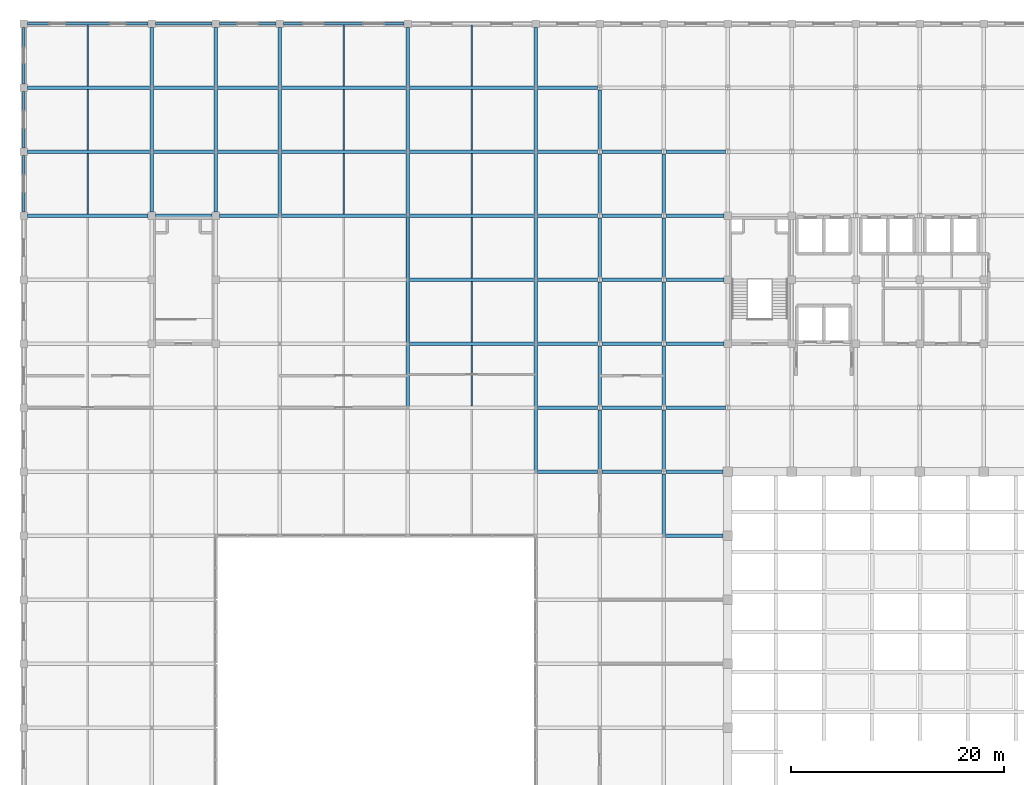
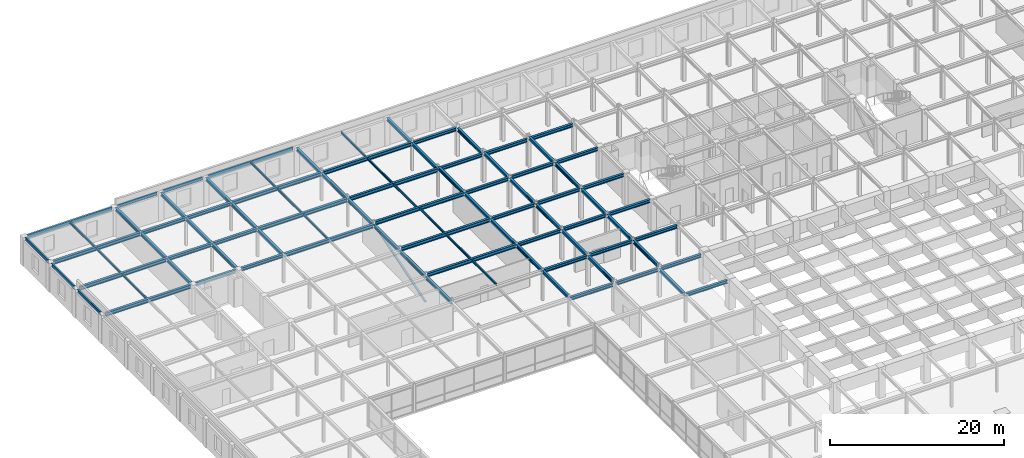
# One storey, part 77 of 111: 90 beams, 1 member.
"""IFC4 building model written with IfcOpenShell, lengths in metres."""

from ifc_helpers import new_model, si_unit, direction, frame, origin, origin_2d, place, context, subcontext, project, spatial, hollow_rectangle, i_section, extrude, material, material_profile, profile_set, type_object, element, save


model = new_model("IFC4")

# Units and contexts
model_context = context("Model", 3, precision=1e-05, world=origin(), true_north=direction((0.0, 1.0)))
body_context = subcontext(model_context, "Body", "Model", "MODEL_VIEW")
ifc_project = project(units=[si_unit("LENGTHUNIT", "METRE"), si_unit("AREAUNIT", "SQUARE_METRE"), si_unit("VOLUMEUNIT", "CUBIC_METRE"), si_unit("PLANEANGLEUNIT", "RADIAN"), si_unit("MASSUNIT", "GRAM", prefix="KILO")], contexts=[model_context])

# Site, building, storey
site_placement = place(None, origin())
site = spatial("IfcSite", under=ifc_project, at=site_placement, CompositionType="ELEMENT")
building_placement = place(site_placement, origin())
building = spatial("IfcBuilding", under=site, at=building_placement, Name="Zlatovratsky Civic Hall", CompositionType="ELEMENT")
storey_placement = place(building_placement, frame((0.0, 0.0, 16.5)))
storey = spatial("IfcBuildingStorey", under=building, at=storey_placement, Name="L04", CompositionType="ELEMENT", Elevation=16.5)

# Beams
ifc_material = material(Name="Steel S355", Category="steel")
ifc_material_profile_1 = material_profile(ifc_material, i_section(OverallWidth=0.300048828125, OverallDepth=0.487060546875, WebThickness=0.014404296875, FlangeThickness=0.017578125, FilletRadius=0.02392578125, at=origin_2d()), Name="50Sh2")
ifc_profile_set_1 = profile_set([ifc_material_profile_1], Name="Steel S355")
beam_type_1 = type_object("IfcBeamType", Name="Beam_ArchiveGirder_50Sh2", PredefinedType="BEAM", material=ifc_profile_set_1)
for number, where, z_axis, x_axis, name in (
    (1, (36.125, 84.0, 4.03662109375), (1.0, 0.0, 0.0), (0.0, 1.0, 0.0), "BM-3388"),
    (2, (36.125, 90.0, 4.03662109375), (1.0, 0.0, 0.0), (0.0, 1.0, 0.0), "BM-3409"),
):
    element("IfcBeam", number, at=place(storey_placement, frame(where, z_axis=z_axis, x_axis=x_axis)), inside=storey, type_object=beam_type_1, Name=name, PredefinedType="BEAM", context=body_context, shape_type="SweptSolid", body=[
        extrude(i_section(OverallWidth=0.300048828125, OverallDepth=0.487060546875, WebThickness=0.014404296875, FlangeThickness=0.017578125, FilletRadius=0.02392578125, at=origin_2d()), origin(), (0.0, 0.0, 1.0), 11.75),
    ])
beam_1_placement = place(storey_placement, frame((0.35009765625, 96.0, 3.756591796875), z_axis=(1.0, 0.0, 0.0), x_axis=(0.0, 1.0, 0.0)))
element("IfcBeam", 3, at=beam_1_placement, inside=storey, type_object=beam_type_1, Name="BM-3424", PredefinedType="BEAM", context=body_context, shape_type="SweptSolid", body=[
    extrude(i_section(OverallWidth=0.300048828125, OverallDepth=0.487060546875, WebThickness=0.014404296875, FlangeThickness=0.017578125, FilletRadius=0.02392578125, at=origin_2d()), origin(), (0.0, 0.0, 1.0), 11.2998046875),
])
for number, where, z_axis, x_axis, name in (
    (4, (24.125, 96.0, 3.756591796875), (1.0, 0.0, 0.0), (0.0, 1.0, 0.0), "BM-3427"),
    (5, (36.125, 96.0, 4.03662109375), (1.0, 0.0, 0.0), (0.0, 1.0, 0.0), "BM-3428"),
):
    element("IfcBeam", number, at=place(storey_placement, frame(where, z_axis=z_axis, x_axis=x_axis)), inside=storey, type_object=beam_type_1, Name=name, PredefinedType="BEAM", context=body_context, shape_type="SweptSolid", body=[
        extrude(i_section(OverallWidth=0.300048828125, OverallDepth=0.487060546875, WebThickness=0.014404296875, FlangeThickness=0.017578125, FilletRadius=0.02392578125, at=origin_2d()), origin(), (0.0, 0.0, 1.0), 11.75),
    ])
beam_2_placement = place(storey_placement, frame((0.35009765625, 102.0, 3.756591796875), z_axis=(1.0, 0.0, 0.0), x_axis=(0.0, 1.0, 0.0)))
element("IfcBeam", 6, at=beam_2_placement, inside=storey, type_object=beam_type_1, Name="BM-3446", PredefinedType="BEAM", context=body_context, shape_type="SweptSolid", body=[
    extrude(i_section(OverallWidth=0.300048828125, OverallDepth=0.487060546875, WebThickness=0.014404296875, FlangeThickness=0.017578125, FilletRadius=0.02392578125, at=origin_2d()), origin(), (0.0, 0.0, 1.0), 11.52490234375),
])
for number, where, z_axis, x_axis, name in (
    (7, (24.125, 102.0, 3.756591796875), (1.0, 0.0, 0.0), (0.0, 1.0, 0.0), "BM-3449"),
    (8, (36.125, 102.0, 3.756591796875), (1.0, 0.0, 0.0), (0.0, 1.0, 0.0), "BM-3450"),
):
    element("IfcBeam", number, at=place(storey_placement, frame(where, z_axis=z_axis, x_axis=x_axis)), inside=storey, type_object=beam_type_1, Name=name, PredefinedType="BEAM", context=body_context, shape_type="SweptSolid", body=[
        extrude(i_section(OverallWidth=0.300048828125, OverallDepth=0.487060546875, WebThickness=0.014404296875, FlangeThickness=0.017578125, FilletRadius=0.02392578125, at=origin_2d()), origin(), (0.0, 0.0, 1.0), 11.75),
    ])
beam_3_placement = place(storey_placement, frame((0.35009765625, 108.0, 3.756591796875), z_axis=(1.0, 0.0, 0.0), x_axis=(0.0, 1.0, 0.0)))
element("IfcBeam", 9, at=beam_3_placement, inside=storey, type_object=beam_type_1, Name="BM-3468", PredefinedType="BEAM", context=body_context, shape_type="SweptSolid", body=[
    extrude(i_section(OverallWidth=0.300048828125, OverallDepth=0.487060546875, WebThickness=0.014404296875, FlangeThickness=0.017578125, FilletRadius=0.02392578125, at=origin_2d()), origin(), (0.0, 0.0, 1.0), 11.52490234375),
])
for number, where, z_axis, x_axis, name in (
    (10, (24.125, 108.0, 3.756591796875), (1.0, 0.0, 0.0), (0.0, 1.0, 0.0), "BM-3471"),
    (11, (36.125, 108.0, 3.756591796875), (1.0, 0.0, 0.0), (0.0, 1.0, 0.0), "BM-3472"),
):
    element("IfcBeam", number, at=place(storey_placement, frame(where, z_axis=z_axis, x_axis=x_axis)), inside=storey, type_object=beam_type_1, Name=name, PredefinedType="BEAM", context=body_context, shape_type="SweptSolid", body=[
        extrude(i_section(OverallWidth=0.300048828125, OverallDepth=0.487060546875, WebThickness=0.014404296875, FlangeThickness=0.017578125, FilletRadius=0.02392578125, at=origin_2d()), origin(), (0.0, 0.0, 1.0), 11.75),
    ])
ifc_material_profile_2 = material_profile(ifc_material, i_section(OverallWidth=0.198974609375, OverallDepth=0.491943359375, WebThickness=0.0087890625, FlangeThickness=0.011962890625, FilletRadius=0.01611328125, at=origin_2d()), Name="50B1")
ifc_profile_set_2 = profile_set([ifc_material_profile_2], Name="Steel S355")
beam_type_2 = type_object("IfcBeamType", Name="Beam_Spandrel_50B1", PredefinedType="SPANDREL", material=ifc_profile_set_2)
for number, where, z_axis, x_axis, name in (
    (12, (12.35009765625, 114.0, 3.75390625), (1.0, 0.0, 0.0), (0.0, 1.0, 0.0), "BM-3491"),
    (13, (18.35009765625, 114.0, 3.75390625), (1.0, 0.0, 0.0), (0.0, 1.0, 0.0), "BM-3492"),
    (14, (0.0, 96.35009765625, 3.75390625), (0.0, 1.0, 0.0), (-1.0, 0.0, 0.0), "BM-3526"),
    (15, (0.0, 102.35009765625, 3.75390625), (0.0, 1.0, 0.0), (-1.0, 0.0, 0.0), "BM-3527"),
    (16, (0.0, 108.35009765625, 3.75390625), (0.0, 1.0, 0.0), (-1.0, 0.0, 0.0), "BM-3528"),
):
    element("IfcBeam", number, at=place(storey_placement, frame(where, z_axis=z_axis, x_axis=x_axis)), inside=storey, type_object=beam_type_2, Name=name, PredefinedType="SPANDREL", context=body_context, shape_type="SweptSolid", body=[
        extrude(i_section(OverallWidth=0.198974609375, OverallDepth=0.491943359375, WebThickness=0.0087890625, FlangeThickness=0.011962890625, FilletRadius=0.01611328125, at=origin_2d()), origin(), (0.0, 0.0, 1.0), 5.2998046875),
    ])
ifc_material_profile_3 = material_profile(ifc_material, i_section(OverallWidth=0.219970703125, OverallDepth=0.54296875, WebThickness=0.009521484375, FlangeThickness=0.013427734375, FilletRadius=0.01806640625, at=origin_2d()), Name="55B1")
ifc_profile_set_3 = profile_set([ifc_material_profile_3], Name="Steel S355")
beam_type_3 = type_object("IfcBeamType", Name="Beam_Spandrel_55B1", PredefinedType="SPANDREL", material=ifc_profile_set_3)
for number, where, z_axis, x_axis, name in (
    (17, (0.35009765625, 114.0, 3.728515625), (1.0, 0.0, 0.0), (0.0, 1.0, 0.0), "BM-3490"),
    (18, (24.35009765625, 114.0, 3.728515625), (1.0, 0.0, 0.0), (0.0, 1.0, 0.0), "BM-3493"),
):
    element("IfcBeam", number, at=place(storey_placement, frame(where, z_axis=z_axis, x_axis=x_axis)), inside=storey, type_object=beam_type_3, Name=name, PredefinedType="SPANDREL", context=body_context, shape_type="SweptSolid", body=[
        extrude(i_section(OverallWidth=0.219970703125, OverallDepth=0.54296875, WebThickness=0.009521484375, FlangeThickness=0.013427734375, FilletRadius=0.01806640625, at=origin_2d()), origin(), (0.0, 0.0, 1.0), 11.2998046875),
    ])
ifc_material_profile_4 = material_profile(ifc_material, i_section(OverallWidth=0.300048828125, OverallDepth=0.43994140625, WebThickness=0.010986328125, FlangeThickness=0.01806640625, FilletRadius=0.02197265625, at=origin_2d()), Name="45Sh1")
ifc_profile_set_4 = profile_set([ifc_material_profile_4], Name="Steel S355")
beam_type_4 = type_object("IfcBeamType", Name="Beam_TowerLow_45Sh1", PredefinedType="BEAM", material=ifc_profile_set_4)
beam_4_placement = place(storey_placement, frame((60.125, 66.0, 3.780029296875), z_axis=(1.0, 0.0, 0.0), x_axis=(0.0, 1.0, 0.0)))
element("IfcBeam", 19, at=beam_4_placement, inside=storey, type_object=beam_type_4, Name="BM-3337", PredefinedType="BEAM", context=body_context, shape_type="SweptSolid", body=[
    extrude(i_section(OverallWidth=0.300048828125, OverallDepth=0.43994140625, WebThickness=0.010986328125, FlangeThickness=0.01806640625, FilletRadius=0.02197265625, at=origin_2d()), origin(), (0.0, 0.0, 1.0), 5.425048828125),
])
beam_5_placement = place(storey_placement, frame((48.125, 72.0, 3.780029296875), z_axis=(1.0, 0.0, 0.0), x_axis=(0.0, 1.0, 0.0)))
element("IfcBeam", 20, at=beam_5_placement, inside=storey, type_object=beam_type_4, Name="BM-3351", PredefinedType="BEAM", context=body_context, shape_type="SweptSolid", body=[
    extrude(i_section(OverallWidth=0.300048828125, OverallDepth=0.43994140625, WebThickness=0.010986328125, FlangeThickness=0.01806640625, FilletRadius=0.02197265625, at=origin_2d()), origin(), (0.0, 0.0, 1.0), 5.672607421875),
])
beam_6_placement = place(storey_placement, frame((54.202392578125, 72.0, 3.780029296875), z_axis=(1.0, 0.0, 0.0), x_axis=(0.0, 1.0, 0.0)))
element("IfcBeam", 21, at=beam_6_placement, inside=storey, type_object=beam_type_4, Name="BM-3352", PredefinedType="BEAM", context=body_context, shape_type="SweptSolid", body=[
    extrude(i_section(OverallWidth=0.300048828125, OverallDepth=0.43994140625, WebThickness=0.010986328125, FlangeThickness=0.01806640625, FilletRadius=0.02197265625, at=origin_2d()), origin(), (0.0, 0.0, 1.0), 5.59521484375),
])
beam_7_placement = place(storey_placement, frame((60.202392578125, 72.0, 3.780029296875), z_axis=(1.0, 0.0, 0.0), x_axis=(0.0, 1.0, 0.0)))
element("IfcBeam", 22, at=beam_7_placement, inside=storey, type_object=beam_type_4, Name="BM-3353", PredefinedType="BEAM", context=body_context, shape_type="SweptSolid", body=[
    extrude(i_section(OverallWidth=0.300048828125, OverallDepth=0.43994140625, WebThickness=0.010986328125, FlangeThickness=0.01806640625, FilletRadius=0.02197265625, at=origin_2d()), origin(), (0.0, 0.0, 1.0), 5.34765625),
])
beam_8_placement = place(storey_placement, frame((48.125, 78.0, 4.06005859375), z_axis=(1.0, 0.0, 0.0), x_axis=(0.0, 1.0, 0.0)))
element("IfcBeam", 23, at=beam_8_placement, inside=storey, type_object=beam_type_4, Name="BM-3367", PredefinedType="BEAM", context=body_context, shape_type="SweptSolid", body=[
    extrude(i_section(OverallWidth=0.300048828125, OverallDepth=0.43994140625, WebThickness=0.010986328125, FlangeThickness=0.01806640625, FilletRadius=0.02197265625, at=origin_2d()), origin(), (0.0, 0.0, 1.0), 5.672607421875),
])
for number, where, z_axis, x_axis, name in (
    (24, (54.202392578125, 78.0, 4.1201171875), (1.0, 0.0, 0.0), (0.0, 1.0, 0.0), "BM-3368"),
    (25, (60.202392578125, 78.0, 4.1201171875), (1.0, 0.0, 0.0), (0.0, 1.0, 0.0), "BM-3369"),
):
    element("IfcBeam", number, at=place(storey_placement, frame(where, z_axis=z_axis, x_axis=x_axis)), inside=storey, type_object=beam_type_4, Name=name, PredefinedType="BEAM", context=body_context, shape_type="SweptSolid", body=[
        extrude(i_section(OverallWidth=0.300048828125, OverallDepth=0.43994140625, WebThickness=0.010986328125, FlangeThickness=0.01806640625, FilletRadius=0.02197265625, at=origin_2d()), origin(), (0.0, 0.0, 1.0), 5.59521484375),
    ])
beam_9_placement = place(storey_placement, frame((48.125, 84.0, 4.06005859375), z_axis=(1.0, 0.0, 0.0), x_axis=(0.0, 1.0, 0.0)))
element("IfcBeam", 26, at=beam_9_placement, inside=storey, type_object=beam_type_4, Name="BM-3389", PredefinedType="BEAM", context=body_context, shape_type="SweptSolid", body=[
    extrude(i_section(OverallWidth=0.300048828125, OverallDepth=0.43994140625, WebThickness=0.010986328125, FlangeThickness=0.01806640625, FilletRadius=0.02197265625, at=origin_2d()), origin(), (0.0, 0.0, 1.0), 5.672607421875),
])
beam_10_placement = place(storey_placement, frame((54.202392578125, 84.0, 4.1201171875), z_axis=(1.0, 0.0, 0.0), x_axis=(0.0, 1.0, 0.0)))
element("IfcBeam", 27, at=beam_10_placement, inside=storey, type_object=beam_type_4, Name="BM-3390", PredefinedType="BEAM", context=body_context, shape_type="SweptSolid", body=[
    extrude(i_section(OverallWidth=0.300048828125, OverallDepth=0.43994140625, WebThickness=0.010986328125, FlangeThickness=0.01806640625, FilletRadius=0.02197265625, at=origin_2d()), origin(), (0.0, 0.0, 1.0), 5.59521484375),
])
beam_11_placement = place(storey_placement, frame((60.202392578125, 84.0, 4.1201171875), z_axis=(1.0, 0.0, 0.0), x_axis=(0.0, 1.0, 0.0)))
element("IfcBeam", 28, at=beam_11_placement, inside=storey, type_object=beam_type_4, Name="BM-3391", PredefinedType="BEAM", context=body_context, shape_type="SweptSolid", body=[
    extrude(i_section(OverallWidth=0.300048828125, OverallDepth=0.43994140625, WebThickness=0.010986328125, FlangeThickness=0.01806640625, FilletRadius=0.02197265625, at=origin_2d()), origin(), (0.0, 0.0, 1.0), 5.447509765625),
])
beam_12_placement = place(storey_placement, frame((48.125, 90.0, 4.06005859375), z_axis=(1.0, 0.0, 0.0), x_axis=(0.0, 1.0, 0.0)))
element("IfcBeam", 29, at=beam_12_placement, inside=storey, type_object=beam_type_4, Name="BM-3410", PredefinedType="BEAM", context=body_context, shape_type="SweptSolid", body=[
    extrude(i_section(OverallWidth=0.300048828125, OverallDepth=0.43994140625, WebThickness=0.010986328125, FlangeThickness=0.01806640625, FilletRadius=0.02197265625, at=origin_2d()), origin(), (0.0, 0.0, 1.0), 5.672607421875),
])
beam_13_placement = place(storey_placement, frame((54.202392578125, 90.0, 4.1201171875), z_axis=(1.0, 0.0, 0.0), x_axis=(0.0, 1.0, 0.0)))
element("IfcBeam", 30, at=beam_13_placement, inside=storey, type_object=beam_type_4, Name="BM-3411", PredefinedType="BEAM", context=body_context, shape_type="SweptSolid", body=[
    extrude(i_section(OverallWidth=0.300048828125, OverallDepth=0.43994140625, WebThickness=0.010986328125, FlangeThickness=0.01806640625, FilletRadius=0.02197265625, at=origin_2d()), origin(), (0.0, 0.0, 1.0), 5.59521484375),
])
beam_14_placement = place(storey_placement, frame((60.202392578125, 90.0, 4.1201171875), z_axis=(1.0, 0.0, 0.0), x_axis=(0.0, 1.0, 0.0)))
element("IfcBeam", 31, at=beam_14_placement, inside=storey, type_object=beam_type_4, Name="BM-3412", PredefinedType="BEAM", context=body_context, shape_type="SweptSolid", body=[
    extrude(i_section(OverallWidth=0.300048828125, OverallDepth=0.43994140625, WebThickness=0.010986328125, FlangeThickness=0.01806640625, FilletRadius=0.02197265625, at=origin_2d()), origin(), (0.0, 0.0, 1.0), 5.447509765625),
])
beam_15_placement = place(storey_placement, frame((12.35009765625, 96.0, 3.780029296875), z_axis=(1.0, 0.0, 0.0), x_axis=(0.0, 1.0, 0.0)))
element("IfcBeam", 32, at=beam_15_placement, inside=storey, type_object=beam_type_4, Name="BM-3425", PredefinedType="BEAM", context=body_context, shape_type="SweptSolid", body=[
    extrude(i_section(OverallWidth=0.300048828125, OverallDepth=0.43994140625, WebThickness=0.010986328125, FlangeThickness=0.01806640625, FilletRadius=0.02197265625, at=origin_2d()), origin(), (0.0, 0.0, 1.0), 5.2998046875),
])
beam_16_placement = place(storey_placement, frame((18.35009765625, 96.0, 3.780029296875), z_axis=(1.0, 0.0, 0.0), x_axis=(0.0, 1.0, 0.0)))
element("IfcBeam", 33, at=beam_16_placement, inside=storey, type_object=beam_type_4, Name="BM-3426", PredefinedType="BEAM", context=body_context, shape_type="SweptSolid", body=[
    extrude(i_section(OverallWidth=0.300048828125, OverallDepth=0.43994140625, WebThickness=0.010986328125, FlangeThickness=0.01806640625, FilletRadius=0.02197265625, at=origin_2d()), origin(), (0.0, 0.0, 1.0), 5.52490234375),
])
beam_17_placement = place(storey_placement, frame((48.125, 96.0, 4.06005859375), z_axis=(1.0, 0.0, 0.0), x_axis=(0.0, 1.0, 0.0)))
element("IfcBeam", 34, at=beam_17_placement, inside=storey, type_object=beam_type_4, Name="BM-3429", PredefinedType="BEAM", context=body_context, shape_type="SweptSolid", body=[
    extrude(i_section(OverallWidth=0.300048828125, OverallDepth=0.43994140625, WebThickness=0.010986328125, FlangeThickness=0.01806640625, FilletRadius=0.02197265625, at=origin_2d()), origin(), (0.0, 0.0, 1.0), 5.672607421875),
])
beam_18_placement = place(storey_placement, frame((54.202392578125, 96.0, 4.1201171875), z_axis=(1.0, 0.0, 0.0), x_axis=(0.0, 1.0, 0.0)))
element("IfcBeam", 35, at=beam_18_placement, inside=storey, type_object=beam_type_4, Name="BM-3430", PredefinedType="BEAM", context=body_context, shape_type="SweptSolid", body=[
    extrude(i_section(OverallWidth=0.300048828125, OverallDepth=0.43994140625, WebThickness=0.010986328125, FlangeThickness=0.01806640625, FilletRadius=0.02197265625, at=origin_2d()), origin(), (0.0, 0.0, 1.0), 5.59521484375),
])
beam_19_placement = place(storey_placement, frame((60.202392578125, 96.0, 4.1201171875), z_axis=(1.0, 0.0, 0.0), x_axis=(0.0, 1.0, 0.0)))
element("IfcBeam", 36, at=beam_19_placement, inside=storey, type_object=beam_type_4, Name="BM-3431", PredefinedType="BEAM", context=body_context, shape_type="SweptSolid", body=[
    extrude(i_section(OverallWidth=0.300048828125, OverallDepth=0.43994140625, WebThickness=0.010986328125, FlangeThickness=0.01806640625, FilletRadius=0.02197265625, at=origin_2d()), origin(), (0.0, 0.0, 1.0), 5.447509765625),
])
for number, where, z_axis, x_axis, name in (
    (37, (12.125, 102.0, 3.780029296875), (1.0, 0.0, 0.0), (0.0, 1.0, 0.0), "BM-3447"),
    (38, (18.125, 102.0, 3.780029296875), (1.0, 0.0, 0.0), (0.0, 1.0, 0.0), "BM-3448"),
):
    element("IfcBeam", number, at=place(storey_placement, frame(where, z_axis=z_axis, x_axis=x_axis)), inside=storey, type_object=beam_type_4, Name=name, PredefinedType="BEAM", context=body_context, shape_type="SweptSolid", body=[
        extrude(i_section(OverallWidth=0.300048828125, OverallDepth=0.43994140625, WebThickness=0.010986328125, FlangeThickness=0.01806640625, FilletRadius=0.02197265625, at=origin_2d()), origin(), (0.0, 0.0, 1.0), 5.75),
    ])
beam_20_placement = place(storey_placement, frame((48.125, 102.0, 3.780029296875), z_axis=(1.0, 0.0, 0.0), x_axis=(0.0, 1.0, 0.0)))
element("IfcBeam", 39, at=beam_20_placement, inside=storey, type_object=beam_type_4, Name="BM-3451", PredefinedType="BEAM", context=body_context, shape_type="SweptSolid", body=[
    extrude(i_section(OverallWidth=0.300048828125, OverallDepth=0.43994140625, WebThickness=0.010986328125, FlangeThickness=0.01806640625, FilletRadius=0.02197265625, at=origin_2d()), origin(), (0.0, 0.0, 1.0), 5.672607421875),
])
for number, where, z_axis, x_axis, name in (
    (40, (54.202392578125, 102.0, 3.780029296875), (1.0, 0.0, 0.0), (0.0, 1.0, 0.0), "BM-3452"),
    (41, (60.202392578125, 102.0, 3.780029296875), (1.0, 0.0, 0.0), (0.0, 1.0, 0.0), "BM-3453"),
):
    element("IfcBeam", number, at=place(storey_placement, frame(where, z_axis=z_axis, x_axis=x_axis)), inside=storey, type_object=beam_type_4, Name=name, PredefinedType="BEAM", context=body_context, shape_type="SweptSolid", body=[
        extrude(i_section(OverallWidth=0.300048828125, OverallDepth=0.43994140625, WebThickness=0.010986328125, FlangeThickness=0.01806640625, FilletRadius=0.02197265625, at=origin_2d()), origin(), (0.0, 0.0, 1.0), 5.59521484375),
    ])
for number, where, z_axis, x_axis, name in (
    (42, (12.125, 108.0, 3.780029296875), (1.0, 0.0, 0.0), (0.0, 1.0, 0.0), "BM-3469"),
    (43, (18.125, 108.0, 3.780029296875), (1.0, 0.0, 0.0), (0.0, 1.0, 0.0), "BM-3470"),
):
    element("IfcBeam", number, at=place(storey_placement, frame(where, z_axis=z_axis, x_axis=x_axis)), inside=storey, type_object=beam_type_4, Name=name, PredefinedType="BEAM", context=body_context, shape_type="SweptSolid", body=[
        extrude(i_section(OverallWidth=0.300048828125, OverallDepth=0.43994140625, WebThickness=0.010986328125, FlangeThickness=0.01806640625, FilletRadius=0.02197265625, at=origin_2d()), origin(), (0.0, 0.0, 1.0), 5.75),
    ])
beam_21_placement = place(storey_placement, frame((48.125, 108.0, 3.780029296875), z_axis=(1.0, 0.0, 0.0), x_axis=(0.0, 1.0, 0.0)))
element("IfcBeam", 44, at=beam_21_placement, inside=storey, type_object=beam_type_4, Name="BM-3473", PredefinedType="BEAM", context=body_context, shape_type="SweptSolid", body=[
    extrude(i_section(OverallWidth=0.300048828125, OverallDepth=0.43994140625, WebThickness=0.010986328125, FlangeThickness=0.01806640625, FilletRadius=0.02197265625, at=origin_2d()), origin(), (0.0, 0.0, 1.0), 5.672607421875),
])
beam_22_placement = place(storey_placement, frame((12.0, 96.35009765625, 3.780029296875), z_axis=(0.0, 1.0, 0.0), x_axis=(-1.0, 0.0, 0.0)))
element("IfcBeam", 45, at=beam_22_placement, inside=storey, type_object=beam_type_4, Name="BM-3543", PredefinedType="BEAM", context=body_context, shape_type="SweptSolid", body=[
    extrude(i_section(OverallWidth=0.300048828125, OverallDepth=0.43994140625, WebThickness=0.010986328125, FlangeThickness=0.01806640625, FilletRadius=0.02197265625, at=origin_2d()), origin(), (0.0, 0.0, 1.0), 5.52490234375),
])
beam_23_placement = place(storey_placement, frame((12.0, 102.125, 3.780029296875), z_axis=(0.0, 1.0, 0.0), x_axis=(-1.0, 0.0, 0.0)))
element("IfcBeam", 46, at=beam_23_placement, inside=storey, type_object=beam_type_4, Name="BM-3544", PredefinedType="BEAM", context=body_context, shape_type="SweptSolid", body=[
    extrude(i_section(OverallWidth=0.300048828125, OverallDepth=0.43994140625, WebThickness=0.010986328125, FlangeThickness=0.01806640625, FilletRadius=0.02197265625, at=origin_2d()), origin(), (0.0, 0.0, 1.0), 5.75),
])
for number, where, z_axis, x_axis, name in (
    (47, (12.0, 108.125, 3.780029296875), (0.0, 1.0, 0.0), (-1.0, 0.0, 0.0), "BM-3545"),
    (48, (18.0, 96.35009765625, 3.780029296875), (0.0, 1.0, 0.0), (-1.0, 0.0, 0.0), "BM-3560"),
):
    element("IfcBeam", number, at=place(storey_placement, frame(where, z_axis=z_axis, x_axis=x_axis)), inside=storey, type_object=beam_type_4, Name=name, PredefinedType="BEAM", context=body_context, shape_type="SweptSolid", body=[
        extrude(i_section(OverallWidth=0.300048828125, OverallDepth=0.43994140625, WebThickness=0.010986328125, FlangeThickness=0.01806640625, FilletRadius=0.02197265625, at=origin_2d()), origin(), (0.0, 0.0, 1.0), 5.52490234375),
    ])
beam_24_placement = place(storey_placement, frame((18.0, 102.125, 3.780029296875), z_axis=(0.0, 1.0, 0.0), x_axis=(-1.0, 0.0, 0.0)))
element("IfcBeam", 49, at=beam_24_placement, inside=storey, type_object=beam_type_4, Name="BM-3561", PredefinedType="BEAM", context=body_context, shape_type="SweptSolid", body=[
    extrude(i_section(OverallWidth=0.300048828125, OverallDepth=0.43994140625, WebThickness=0.010986328125, FlangeThickness=0.01806640625, FilletRadius=0.02197265625, at=origin_2d()), origin(), (0.0, 0.0, 1.0), 5.75),
])
beam_25_placement = place(storey_placement, frame((18.0, 108.125, 3.780029296875), z_axis=(0.0, 1.0, 0.0), x_axis=(-1.0, 0.0, 0.0)))
element("IfcBeam", 50, at=beam_25_placement, inside=storey, type_object=beam_type_4, Name="BM-3562", PredefinedType="BEAM", context=body_context, shape_type="SweptSolid", body=[
    extrude(i_section(OverallWidth=0.300048828125, OverallDepth=0.43994140625, WebThickness=0.010986328125, FlangeThickness=0.01806640625, FilletRadius=0.02197265625, at=origin_2d()), origin(), (0.0, 0.0, 1.0), 5.52490234375),
])
for number, where, z_axis, x_axis, name in (
    (51, (24.0, 96.125, 3.780029296875), (0.0, 1.0, 0.0), (-1.0, 0.0, 0.0), "BM-3571"),
    (52, (24.0, 102.125, 3.780029296875), (0.0, 1.0, 0.0), (-1.0, 0.0, 0.0), "BM-3572"),
):
    element("IfcBeam", number, at=place(storey_placement, frame(where, z_axis=z_axis, x_axis=x_axis)), inside=storey, type_object=beam_type_4, Name=name, PredefinedType="BEAM", context=body_context, shape_type="SweptSolid", body=[
        extrude(i_section(OverallWidth=0.300048828125, OverallDepth=0.43994140625, WebThickness=0.010986328125, FlangeThickness=0.01806640625, FilletRadius=0.02197265625, at=origin_2d()), origin(), (0.0, 0.0, 1.0), 5.75),
    ])
beam_26_placement = place(storey_placement, frame((24.0, 108.125, 3.780029296875), z_axis=(0.0, 1.0, 0.0), x_axis=(-1.0, 0.0, 0.0)))
element("IfcBeam", 53, at=beam_26_placement, inside=storey, type_object=beam_type_4, Name="BM-3573", PredefinedType="BEAM", context=body_context, shape_type="SweptSolid", body=[
    extrude(i_section(OverallWidth=0.300048828125, OverallDepth=0.43994140625, WebThickness=0.010986328125, FlangeThickness=0.01806640625, FilletRadius=0.02197265625, at=origin_2d()), origin(), (0.0, 0.0, 1.0), 5.52490234375),
])
for number, where, z_axis, x_axis, name in (
    (54, (36.0, 78.125, 3.780029296875), (0.0, 1.0, 0.0), (-1.0, 0.0, 0.0), "BM-3579"),
    (55, (36.0, 84.125, 3.780029296875), (0.0, 1.0, 0.0), (-1.0, 0.0, 0.0), "BM-3580"),
    (56, (36.0, 90.125, 3.780029296875), (0.0, 1.0, 0.0), (-1.0, 0.0, 0.0), "BM-3581"),
    (57, (36.0, 96.125, 3.780029296875), (0.0, 1.0, 0.0), (-1.0, 0.0, 0.0), "BM-3582"),
    (58, (36.0, 102.125, 3.780029296875), (0.0, 1.0, 0.0), (-1.0, 0.0, 0.0), "BM-3583"),
):
    element("IfcBeam", number, at=place(storey_placement, frame(where, z_axis=z_axis, x_axis=x_axis)), inside=storey, type_object=beam_type_4, Name=name, PredefinedType="BEAM", context=body_context, shape_type="SweptSolid", body=[
        extrude(i_section(OverallWidth=0.300048828125, OverallDepth=0.43994140625, WebThickness=0.010986328125, FlangeThickness=0.01806640625, FilletRadius=0.02197265625, at=origin_2d()), origin(), (0.0, 0.0, 1.0), 5.75),
    ])
beam_27_placement = place(storey_placement, frame((36.0, 108.125, 3.780029296875), z_axis=(0.0, 1.0, 0.0), x_axis=(-1.0, 0.0, 0.0)))
element("IfcBeam", 59, at=beam_27_placement, inside=storey, type_object=beam_type_4, Name="BM-3584", PredefinedType="BEAM", context=body_context, shape_type="SweptSolid", body=[
    extrude(i_section(OverallWidth=0.300048828125, OverallDepth=0.43994140625, WebThickness=0.010986328125, FlangeThickness=0.01806640625, FilletRadius=0.02197265625, at=origin_2d()), origin(), (0.0, 0.0, 1.0), 5.52490234375),
])
for number, where, z_axis, x_axis, name in (
    (60, (48.0, 72.125, 4.06005859375), (0.0, 1.0, 0.0), (-1.0, 0.0, 0.0), "BM-3595"),
    (61, (48.0, 78.125, 4.06005859375), (0.0, 1.0, 0.0), (-1.0, 0.0, 0.0), "BM-3596"),
    (62, (48.0, 84.125, 4.06005859375), (0.0, 1.0, 0.0), (-1.0, 0.0, 0.0), "BM-3597"),
    (63, (48.0, 90.125, 4.06005859375), (0.0, 1.0, 0.0), (-1.0, 0.0, 0.0), "BM-3598"),
    (64, (48.0, 96.125, 4.06005859375), (0.0, 1.0, 0.0), (-1.0, 0.0, 0.0), "BM-3599"),
    (65, (48.0, 102.125, 3.780029296875), (0.0, 1.0, 0.0), (-1.0, 0.0, 0.0), "BM-3600"),
):
    element("IfcBeam", number, at=place(storey_placement, frame(where, z_axis=z_axis, x_axis=x_axis)), inside=storey, type_object=beam_type_4, Name=name, PredefinedType="BEAM", context=body_context, shape_type="SweptSolid", body=[
        extrude(i_section(OverallWidth=0.300048828125, OverallDepth=0.43994140625, WebThickness=0.010986328125, FlangeThickness=0.01806640625, FilletRadius=0.02197265625, at=origin_2d()), origin(), (0.0, 0.0, 1.0), 5.75),
    ])
beam_28_placement = place(storey_placement, frame((48.0, 108.125, 3.780029296875), z_axis=(0.0, 1.0, 0.0), x_axis=(-1.0, 0.0, 0.0)))
element("IfcBeam", 66, at=beam_28_placement, inside=storey, type_object=beam_type_4, Name="BM-3601", PredefinedType="BEAM", context=body_context, shape_type="SweptSolid", body=[
    extrude(i_section(OverallWidth=0.300048828125, OverallDepth=0.43994140625, WebThickness=0.010986328125, FlangeThickness=0.01806640625, FilletRadius=0.02197265625, at=origin_2d()), origin(), (0.0, 0.0, 1.0), 5.52490234375),
])
for number, where, z_axis, x_axis, name in (
    (67, (54.0, 72.208984375, 4.06005859375), (0.0, 1.0, 0.0), (-1.0, 0.0, 0.0), "BM-3612"),
    (68, (54.0, 78.208984375, 4.06005859375), (0.0, 1.0, 0.0), (-1.0, 0.0, 0.0), "BM-3613"),
    (69, (54.0, 84.208984375, 4.06005859375), (0.0, 1.0, 0.0), (-1.0, 0.0, 0.0), "BM-3614"),
    (70, (54.0, 90.208984375, 4.06005859375), (0.0, 1.0, 0.0), (-1.0, 0.0, 0.0), "BM-3615"),
    (71, (54.0, 96.208984375, 4.06005859375), (0.0, 1.0, 0.0), (-1.0, 0.0, 0.0), "BM-3616"),
    (72, (54.0, 102.208984375, 3.780029296875), (0.0, 1.0, 0.0), (-1.0, 0.0, 0.0), "BM-3617"),
):
    element("IfcBeam", number, at=place(storey_placement, frame(where, z_axis=z_axis, x_axis=x_axis)), inside=storey, type_object=beam_type_4, Name=name, PredefinedType="BEAM", context=body_context, shape_type="SweptSolid", body=[
        extrude(i_section(OverallWidth=0.300048828125, OverallDepth=0.43994140625, WebThickness=0.010986328125, FlangeThickness=0.01806640625, FilletRadius=0.02197265625, at=origin_2d()), origin(), (0.0, 0.0, 1.0), 5.58203125),
    ])
beam_29_placement = place(storey_placement, frame((60.0, 66.125, 3.780029296875), z_axis=(0.0, 1.0, 0.0), x_axis=(-1.0, 0.0, 0.0)))
element("IfcBeam", 73, at=beam_29_placement, inside=storey, type_object=beam_type_4, Name="BM-3627", PredefinedType="BEAM", context=body_context, shape_type="SweptSolid", body=[
    extrude(i_section(OverallWidth=0.300048828125, OverallDepth=0.43994140625, WebThickness=0.010986328125, FlangeThickness=0.01806640625, FilletRadius=0.02197265625, at=origin_2d()), origin(), (0.0, 0.0, 1.0), 5.666015625),
])
for number, where, z_axis, x_axis, name in (
    (74, (60.0, 72.208984375, 4.1201171875), (0.0, 1.0, 0.0), (-1.0, 0.0, 0.0), "BM-3628"),
    (75, (60.0, 78.208984375, 4.1201171875), (0.0, 1.0, 0.0), (-1.0, 0.0, 0.0), "BM-3629"),
    (76, (60.0, 84.208984375, 4.1201171875), (0.0, 1.0, 0.0), (-1.0, 0.0, 0.0), "BM-3630"),
    (77, (60.0, 90.208984375, 4.1201171875), (0.0, 1.0, 0.0), (-1.0, 0.0, 0.0), "BM-3631"),
    (78, (60.0, 96.208984375, 4.1201171875), (0.0, 1.0, 0.0), (-1.0, 0.0, 0.0), "BM-3632"),
):
    element("IfcBeam", number, at=place(storey_placement, frame(where, z_axis=z_axis, x_axis=x_axis)), inside=storey, type_object=beam_type_4, Name=name, PredefinedType="BEAM", context=body_context, shape_type="SweptSolid", body=[
        extrude(i_section(OverallWidth=0.300048828125, OverallDepth=0.43994140625, WebThickness=0.010986328125, FlangeThickness=0.01806640625, FilletRadius=0.02197265625, at=origin_2d()), origin(), (0.0, 0.0, 1.0), 5.58203125),
    ])

# Member
ifc_material_profile_5 = material_profile(ifc_material, hollow_rectangle(XDim=0.219970703125, YDim=0.219970703125, WallThickness=0.010009765625, at=origin_2d()), Name="SHS 220x220x10")
ifc_profile_set_5 = profile_set([ifc_material_profile_5], Name="Steel S355")
member_type = type_object("IfcMemberType", Name="Brace_Podium_SHS220", PredefinedType="BRACE", material=ifc_profile_set_5)
member_placement = place(storey_placement, frame((36.0, 84.125, 0.25), z_axis=(0.0, 0.953828854875, 0.300350654414), x_axis=(-1.0, 0.0, 0.0)))
element("IfcMember", 79, at=member_placement, inside=storey, type_object=member_type, Name="MB-0122", PredefinedType="BRACE", context=body_context, shape_type="SweptSolid", body=[
    extrude(hollow_rectangle(XDim=0.219970703125, YDim=0.219970703125, WallThickness=0.010009765625, at=origin_2d()), origin(), (0.0, 0.0, 1.0), 12.31884765625),
])

# Beams
ifc_material_profile_6 = material_profile(ifc_material, i_section(OverallWidth=0.14892578125, OverallDepth=0.2958984375, WebThickness=0.005615234375, FlangeThickness=0.008056640625, FilletRadius=0.012939453125, at=origin_2d()), Name="30B1")
ifc_profile_set_6 = profile_set([ifc_material_profile_6], Name="Steel S355")
beam_type_5 = type_object("IfcBeamType", Name="Joist_Tower_30B1", PredefinedType="JOIST", material=ifc_profile_set_6)
for number, where, z_axis, x_axis, name in (
    (80, (42.0, 78.14990234375, 4.132080078125), (0.0, 1.0, 0.0), (-1.0, 0.0, 0.0), "BM-3873"),
    (81, (42.0, 84.14990234375, 4.132080078125), (0.0, 1.0, 0.0), (-1.0, 0.0, 0.0), "BM-3879"),
    (82, (42.0, 90.14990234375, 4.132080078125), (0.0, 1.0, 0.0), (-1.0, 0.0, 0.0), "BM-3885"),
    (83, (6.0, 96.14990234375, 3.85205078125), (0.0, 1.0, 0.0), (-1.0, 0.0, 0.0), "BM-3891"),
    (84, (30.0, 96.14990234375, 3.85205078125), (0.0, 1.0, 0.0), (-1.0, 0.0, 0.0), "BM-3892"),
    (85, (42.0, 96.14990234375, 3.85205078125), (0.0, 1.0, 0.0), (-1.0, 0.0, 0.0), "BM-3893"),
    (86, (6.0, 102.14990234375, 3.85205078125), (0.0, 1.0, 0.0), (-1.0, 0.0, 0.0), "BM-3897"),
    (87, (30.0, 102.14990234375, 3.85205078125), (0.0, 1.0, 0.0), (-1.0, 0.0, 0.0), "BM-3898"),
    (88, (42.0, 102.14990234375, 3.85205078125), (0.0, 1.0, 0.0), (-1.0, 0.0, 0.0), "BM-3899"),
):
    element("IfcBeam", number, at=place(storey_placement, frame(where, z_axis=z_axis, x_axis=x_axis)), inside=storey, type_object=beam_type_5, Name=name, PredefinedType="JOIST", context=body_context, shape_type="SweptSolid", body=[
        extrude(i_section(OverallWidth=0.14892578125, OverallDepth=0.2958984375, WebThickness=0.005615234375, FlangeThickness=0.008056640625, FilletRadius=0.012939453125, at=origin_2d()), origin(), (0.0, 0.0, 1.0), 5.7001953125),
    ])
for number, where, z_axis, x_axis, name in (
    (89, (6.0, 108.14990234375, 3.85205078125), (0.0, 1.0, 0.0), (-1.0, 0.0, 0.0), "BM-3903"),
    (90, (30.0, 108.14990234375, 3.85205078125), (0.0, 1.0, 0.0), (-1.0, 0.0, 0.0), "BM-3904"),
    (91, (42.0, 108.14990234375, 3.85205078125), (0.0, 1.0, 0.0), (-1.0, 0.0, 0.0), "BM-3905"),
):
    element("IfcBeam", number, at=place(storey_placement, frame(where, z_axis=z_axis, x_axis=x_axis)), inside=storey, type_object=beam_type_5, Name=name, PredefinedType="JOIST", context=body_context, shape_type="SweptSolid", body=[
        extrude(i_section(OverallWidth=0.14892578125, OverallDepth=0.2958984375, WebThickness=0.005615234375, FlangeThickness=0.008056640625, FilletRadius=0.012939453125, at=origin_2d()), origin(), (0.0, 0.0, 1.0), 5.739990234375),
    ])

save(model, "model.ifc")
